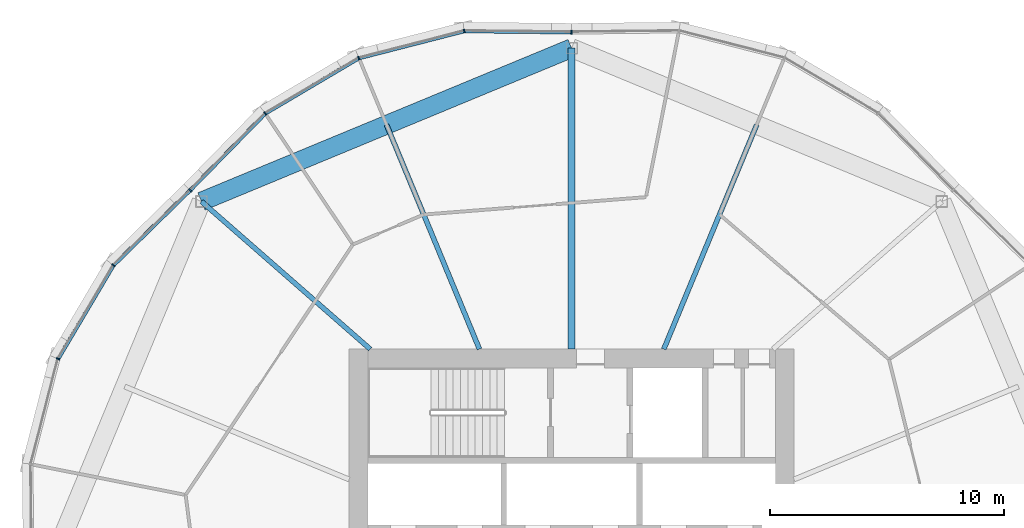
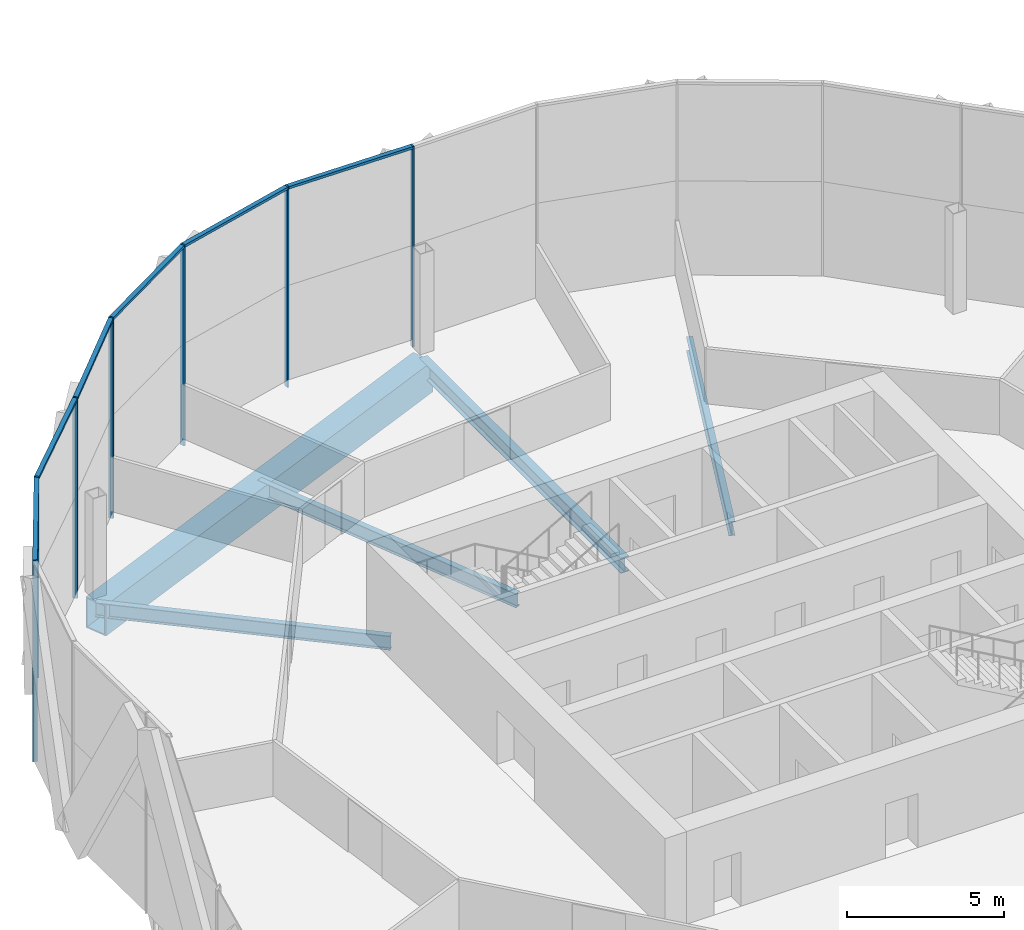
# One storey, part 8 of 27: 13 members, 5 beams, 3 elements without a shape of their own.
"""IFC4 building model written with IfcOpenShell, lengths in metres."""

from ifc_helpers import new_model, si_unit, direction, frame, origin, origin_2d, place, context, subcontext, project, spatial, rectangle, hollow_rectangle, i_section, extrude, material, material_profile, profile_set, type_object, element, aggregate, save


model = new_model("IFC4")

# Units and contexts
model_context = context("Model", 3, precision=1e-05, world=origin(), true_north=direction((0.0, 1.0)))
body_context = subcontext(model_context, "Body", "Model", "MODEL_VIEW")
ifc_project = project(units=[si_unit("LENGTHUNIT", "METRE"), si_unit("AREAUNIT", "SQUARE_METRE"), si_unit("VOLUMEUNIT", "CUBIC_METRE"), si_unit("PLANEANGLEUNIT", "RADIAN"), si_unit("MASSUNIT", "GRAM", prefix="KILO")], contexts=[model_context])

# Site, building, storey
site_placement = place(None, origin())
site = spatial("IfcSite", under=ifc_project, at=site_placement, CompositionType="ELEMENT")
building_placement = place(site_placement, origin())
building = spatial("IfcBuilding", under=site, at=building_placement, Name="Ogive Gate Towers", CompositionType="ELEMENT")
storey_placement = place(building_placement, frame((0.0, 0.0, 123.0)))
storey = spatial("IfcBuildingStorey", under=building, at=storey_placement, Name="L29", CompositionType="ELEMENT", Elevation=123.0)

# Beams
ifc_material_1 = material(Name="Steel SM460", Category="steel")
ifc_material_profile_1 = material_profile(ifc_material_1, hollow_rectangle(XDim=0.800048828125, YDim=1.199951171875, WallThickness=0.050048828125, at=origin_2d()), Name="BX 1200x800x50")
ifc_profile_set_1 = profile_set([ifc_material_profile_1], Name="Steel SM460")
beam_type_1 = type_object("IfcBeamType", Name="Edge girder BX 1200x800x50", PredefinedType="BEAM", material=ifc_profile_set_1)
beam_1_placement = place(storey_placement, frame((-36.0, 22.35009765625, -0.89990234375), z_axis=(-0.923880978344, -0.382679941797, 0.0), x_axis=(0.382679941797, -0.923880978344, 0.0)))
element("IfcBeam", 1, at=beam_1_placement, inside=storey, type_object=beam_type_1, Name="T1/L29/SBM022", PredefinedType="BEAM", context=body_context, shape_type="SweptSolid", body=[
    extrude(hollow_rectangle(XDim=0.800048828125, YDim=1.199951171875, WallThickness=0.050048828125, at=origin_2d()), origin(), (0.0, 0.0, 1.0), 17.10595703125),
])
ifc_material_2 = material(Name="Steel SM355", Category="steel")
ifc_material_profile_2 = material_profile(ifc_material_2, i_section(OverallWidth=0.300048828125, OverallDepth=0.590087890625, WebThickness=0.012939453125, FlangeThickness=0.02490234375, FilletRadius=0.027099609375, at=origin_2d()), Name="HE 600 A")
ifc_profile_set_2 = profile_set([ifc_material_profile_2], Name="Steel SM355")
beam_type_2 = type_object("IfcBeamType", Name="Radial floor beam HE 600 A", PredefinedType="BEAM", material=ifc_profile_set_2)
beam_2_placement = place(storey_placement, frame((-36.0, 9.5, -0.594970703125), z_axis=(0.0, 1.0, 0.0), x_axis=(-1.0, 0.0, 0.0)))
element("IfcBeam", 2, at=beam_2_placement, inside=storey, type_object=beam_type_2, Name="T1/L29/SBM011", PredefinedType="BEAM", context=body_context, shape_type="SweptSolid", body=[
    extrude(i_section(OverallWidth=0.300048828125, OverallDepth=0.590087890625, WebThickness=0.012939453125, FlangeThickness=0.02490234375, FilletRadius=0.027099609375, at=origin_2d()), origin(), (0.0, 0.0, 1.0), 12.85009765625),
])
ifc_material_profile_3 = material_profile(ifc_material_2, i_section(OverallWidth=0.2099609375, OverallDepth=0.550048828125, WebThickness=0.010986328125, FlangeThickness=0.01708984375, FilletRadius=0.02392578125, at=origin_2d()), Name="IPE 550")
ifc_profile_set_3 = profile_set([ifc_material_profile_3], Name="Steel SM355")
beam_type_3 = type_object("IfcBeamType", Name="Radial floor beam IPE 550", PredefinedType="BEAM", material=ifc_profile_set_3)
for number, where, z_axis, x_axis, name in (
    (3, (-32.06494140625, 9.5, -0.574951171875), (0.382676287498, 0.92388249198, 0.0), (-0.92388249198, 0.382676287498, 0.0), "T1/L29/SBM010"),
    (4, (-39.93505859375, 9.5, -0.574951171875), (-0.382676287498, 0.92388249198, 0.0), (-0.92388249198, -0.382676287498, 0.0), "T1/L29/SBM012"),
):
    element("IfcBeam", number, at=place(storey_placement, frame(where, z_axis=z_axis, x_axis=x_axis)), inside=storey, type_object=beam_type_3, Name=name, PredefinedType="BEAM", context=body_context, shape_type="SweptSolid", body=[
        extrude(i_section(OverallWidth=0.2099609375, OverallDepth=0.550048828125, WebThickness=0.010986328125, FlangeThickness=0.01708984375, FilletRadius=0.02392578125, at=origin_2d()), origin(), (0.0, 0.0, 1.0), 10.365966796875),
    ])
beam_3_placement = place(storey_placement, frame((-44.60009765625, 9.5, -0.574951171875), z_axis=(-0.752546675937, 0.658538913457, 0.0), x_axis=(-0.658538913457, -0.752546675937, 0.0)))
element("IfcBeam", 5, at=beam_3_placement, inside=storey, type_object=beam_type_3, Name="T1/L29/SBM013", PredefinedType="BEAM", context=body_context, shape_type="SweptSolid", body=[
    extrude(i_section(OverallWidth=0.2099609375, OverallDepth=0.550048828125, WebThickness=0.010986328125, FlangeThickness=0.01708984375, FilletRadius=0.02392578125, at=origin_2d()), origin(), (0.0, 0.0, 1.0), 9.57275390625),
])

# Curtain wall, member
ifc_material_3 = material(Name="Pale metal aluminium", Category="aluminium")
curtain_wall_type = type_object("IfcCurtainWallType", Name="Tower unitised wall, low zone", PredefinedType="NOTDEFINED", material=ifc_material_3)
curtain_wall_1_placement = place(storey_placement, origin())
curtain_wall_1 = element("IfcCurtainWall", 6, at=curtain_wall_1_placement, inside=storey, type_object=curtain_wall_type, Name="CW1 T1 ECW02", PredefinedType="NOTDEFINED")
ifc_material_profile_4 = material_profile(ifc_material_3, rectangle(XDim=0.159912109375, YDim=0.06005859375, at=origin_2d()), Name="60 x 160 aluminium box")
ifc_profile_set_4 = profile_set([ifc_material_profile_4], Name="Pale metal aluminium")
member_type_1 = type_object("IfcMemberType", Name="Tower unitised wall, low zone mullion 60 x 160", PredefinedType="MULLION", material=ifc_profile_set_4)
member_1_placement = place(storey_placement, frame((-35.999755859375, 23.030029296875, -0.300048828125), z_axis=(0.0, 0.0, 1.0), x_axis=(-0.010820830182, 0.999941453103, 0.0)))
member_1 = element("IfcMember", 7, at=member_1_placement, type_object=member_type_1, Name="CW1 mullion", PredefinedType="MULLION", context=body_context, shape_type="SweptSolid", body=[
    extrude(rectangle(XDim=0.159912109375, YDim=0.06005859375, at=origin_2d()), origin(), (0.0, 0.0, 1.0), 7.800048828125),
])
aggregate(curtain_wall_1, [member_1])

# Curtain wall, members
curtain_wall_2_placement = place(storey_placement, origin())
curtain_wall_2 = element("IfcCurtainWall", 8, at=curtain_wall_2_placement, inside=storey, type_object=curtain_wall_type, Name="CW1 T1 ECW03", PredefinedType="NOTDEFINED")
member_2_placement = place(storey_placement, frame((-40.584716796875, 23.07958984375, -0.300048828125), z_axis=(0.0, 0.0, 1.0), x_axis=(-0.12003287687, 0.992769917186, 0.0)))
member_2 = element("IfcMember", 9, at=member_2_placement, type_object=member_type_1, Name="CW1 mullion", PredefinedType="MULLION", context=body_context, shape_type="SweptSolid", body=[
    extrude(rectangle(XDim=0.159912109375, YDim=0.06005859375, at=origin_2d()), origin(), (0.0, 0.0, 1.0), 7.800048828125),
])
member_3_placement = place(storey_placement, frame((-45.081298828125, 21.924560546875, -0.300048828125), z_axis=(0.0, 0.0, 1.0), x_axis=(-0.382683432365, 0.923879532511, 0.0)))
member_3 = element("IfcMember", 10, at=member_3_placement, type_object=member_type_1, Name="CW1 mullion", PredefinedType="MULLION", context=body_context, shape_type="SweptSolid", body=[
    extrude(rectangle(XDim=0.159912109375, YDim=0.06005859375, at=origin_2d()), origin(), (0.0, 0.0, 1.0), 7.800048828125),
])
member_4_placement = place(storey_placement, frame((-49.078125, 19.5615234375, -0.300048828125), z_axis=(0.0, 0.0, 1.0), x_axis=(-0.617132012785, 0.786859630935, 0.0)))
member_4 = element("IfcMember", 11, at=member_4_placement, type_object=member_type_1, Name="CW1 mullion", PredefinedType="MULLION", context=body_context, shape_type="SweptSolid", body=[
    extrude(rectangle(XDim=0.159912109375, YDim=0.06005859375, at=origin_2d()), origin(), (0.0, 0.0, 1.0), 7.800048828125),
])
member_5_placement = place(storey_placement, frame((-52.284423828125, 16.284912109375, -0.300048828125), z_axis=(0.0, 0.0, 1.0), x_axis=(-0.714704657494, 0.699426373935, 0.0)))
member_5 = element("IfcMember", 12, at=member_5_placement, type_object=member_type_1, Name="CW1 mullion", PredefinedType="MULLION", context=body_context, shape_type="SweptSolid", body=[
    extrude(rectangle(XDim=0.159912109375, YDim=0.06005859375, at=origin_2d()), origin(), (0.0, 0.0, 1.0), 7.800048828125),
])

curtain_wall_3_placement = place(storey_placement, origin())
curtain_wall_3 = element("IfcCurtainWall", 13, at=curtain_wall_3_placement, inside=storey, type_object=curtain_wall_type, Name="CW1 T1 ECW04", PredefinedType="NOTDEFINED")
member_6_placement = place(storey_placement, frame((-55.5615234375, 13.078125, -0.300048828125), z_axis=(0.0, 0.0, 1.0), x_axis=(-0.786859630935, 0.617132012785, 0.0)))
member_6 = element("IfcMember", 14, at=member_6_placement, type_object=member_type_1, Name="CW1 mullion", PredefinedType="MULLION", context=body_context, shape_type="SweptSolid", body=[
    extrude(rectangle(XDim=0.159912109375, YDim=0.06005859375, at=origin_2d()), origin(), (0.0, 0.0, 1.0), 7.800048828125),
])
member_7_placement = place(storey_placement, frame((-57.924560546875, 9.081298828125, -0.300048828125), z_axis=(0.0, 0.0, 1.0), x_axis=(-0.923879532511, 0.382683432365, 0.0)))
member_7 = element("IfcMember", 15, at=member_7_placement, type_object=member_type_1, Name="CW1 mullion", PredefinedType="MULLION", context=body_context, shape_type="SweptSolid", body=[
    extrude(rectangle(XDim=0.159912109375, YDim=0.06005859375, at=origin_2d()), origin(), (0.0, 0.0, 1.0), 7.800048828125),
])

# Member
ifc_material_profile_5 = material_profile(ifc_material_3, rectangle(XDim=0.159912109375, YDim=0.10009765625, at=origin_2d()), Name="100 x 160 aluminium box")
ifc_profile_set_5 = profile_set([ifc_material_profile_5], Name="Pale metal aluminium")
member_type_2 = type_object("IfcMemberType", Name="Tower unitised wall, low zone transom 100 x 160", PredefinedType="USERDEFINED", material=ifc_profile_set_5)
member_8_placement = place(storey_placement, frame((-36.0302734375, 23.0302734375, 7.449951171875), z_axis=(-0.999941249618, 0.010839617688, 0.0), x_axis=(-0.010839617688, -0.999941249618, 0.0)))
member_8 = element("IfcMember", 16, at=member_8_placement, type_object=member_type_2, Name="CW1 transom", ObjectType="TRANSOM", PredefinedType="USERDEFINED", context=body_context, shape_type="SweptSolid", body=[
    extrude(rectangle(XDim=0.159912109375, YDim=0.10009765625, at=origin_2d()), origin(), (0.0, 0.0, 1.0), 4.527099609375),
])

member_9_placement = place(storey_placement, frame((-40.611083984375, 23.07275390625, 7.449951171875), z_axis=(-0.968554137899, -0.248802897809, 0.0), x_axis=(0.248802897809, -0.968554137899, 0.0)))
member_9 = element("IfcMember", 17, at=member_9_placement, type_object=member_type_2, Name="CW1 transom", ObjectType="TRANSOM", PredefinedType="USERDEFINED", context=body_context, shape_type="SweptSolid", body=[
    extrude(rectangle(XDim=0.159912109375, YDim=0.10009765625, at=origin_2d()), origin(), (0.0, 0.0, 1.0), 4.58837890625),
])

member_10_placement = place(storey_placement, frame((-45.104736328125, 21.91064453125, 7.449951171875), z_axis=(-0.860803627002, -0.508937241456, 0.0), x_axis=(0.508937241456, -0.860803627002, 0.0)))
member_10 = element("IfcMember", 18, at=member_10_placement, type_object=member_type_2, Name="CW1 transom", ObjectType="TRANSOM", PredefinedType="USERDEFINED", context=body_context, shape_type="SweptSolid", body=[
    extrude(rectangle(XDim=0.159912109375, YDim=0.10009765625, at=origin_2d()), origin(), (0.0, 0.0, 1.0), 4.58837890625),
])

member_11_placement = place(storey_placement, frame((-49.09716796875, 19.5419921875, 7.449951171875), z_axis=(-0.699407370594, -0.714723254105, 0.0), x_axis=(0.714723254105, -0.699407370594, 0.0)))
member_11 = element("IfcMember", 19, at=member_11_placement, type_object=member_type_2, Name="CW1 transom", ObjectType="TRANSOM", PredefinedType="USERDEFINED", context=body_context, shape_type="SweptSolid", body=[
    extrude(rectangle(XDim=0.159912109375, YDim=0.10009765625, at=origin_2d()), origin(), (0.0, 0.0, 1.0), 4.527099609375),
])

aggregate(curtain_wall_2, [member_2, member_8, member_3, member_9, member_4, member_10, member_5, member_11])

member_12_placement = place(storey_placement, frame((-52.306396484375, 16.263427734375, 7.449951171875), z_axis=(-0.714723254105, -0.699407370594, 0.0), x_axis=(0.699407370594, -0.714723254105, 0.0)))
member_12 = element("IfcMember", 20, at=member_12_placement, type_object=member_type_2, Name="CW1 transom", ObjectType="TRANSOM", PredefinedType="USERDEFINED", context=body_context, shape_type="SweptSolid", body=[
    extrude(rectangle(XDim=0.159912109375, YDim=0.10009765625, at=origin_2d()), origin(), (0.0, 0.0, 1.0), 4.527099609375),
])

member_13_placement = place(storey_placement, frame((-55.575439453125, 13.054443359375, 7.449951171875), z_axis=(-0.508937241456, -0.860803627002, 0.0), x_axis=(0.860803627002, -0.508937241456, 0.0)))
member_13 = element("IfcMember", 21, at=member_13_placement, type_object=member_type_2, Name="CW1 transom", ObjectType="TRANSOM", PredefinedType="USERDEFINED", context=body_context, shape_type="SweptSolid", body=[
    extrude(rectangle(XDim=0.159912109375, YDim=0.10009765625, at=origin_2d()), origin(), (0.0, 0.0, 1.0), 4.58837890625),
])

aggregate(curtain_wall_3, [member_6, member_12, member_7, member_13])

save(model, "model.ifc")
